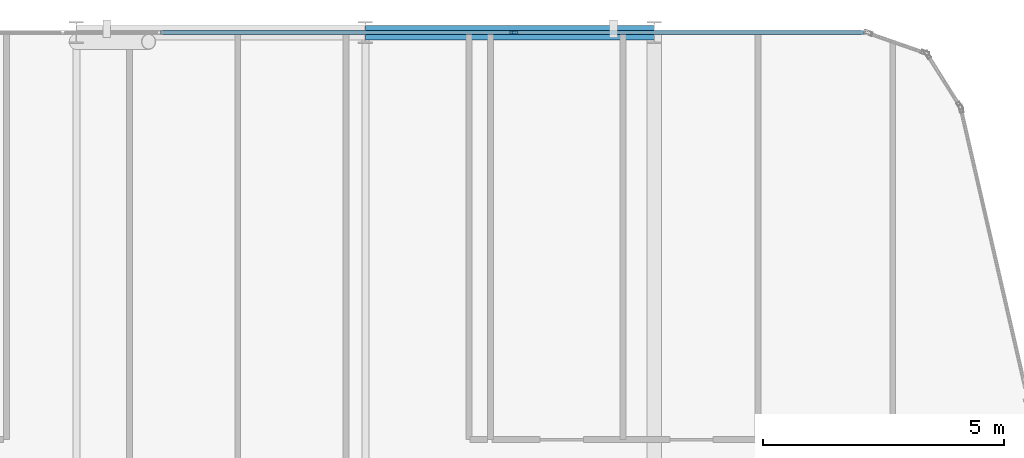
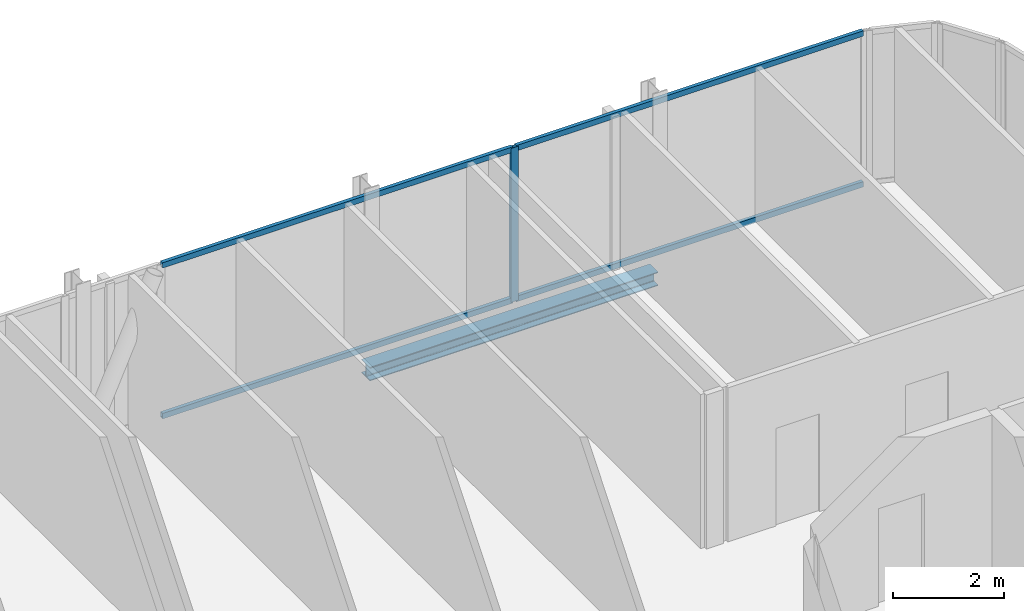
# One storey, part 19 of 29: 5 members, 1 beam, 1 element without a shape of its own.
"""IFC4 building model written with IfcOpenShell, lengths in metres."""

from ifc_helpers import new_model, si_unit, direction, frame, origin, origin_2d, place, context, subcontext, project, spatial, hollow_rectangle, i_section, extrude, material, layer, layer_set, material_profile, profile_set, type_object, element, aggregate, save


model = new_model("IFC4")

# Units and contexts
model_context = context("Model", 3, precision=1e-05, world=origin(), true_north=direction((0.0, 1.0)))
body_context = subcontext(model_context, "Body", "Model", "MODEL_VIEW")
ifc_project = project(units=[si_unit("LENGTHUNIT", "METRE"), si_unit("AREAUNIT", "SQUARE_METRE"), si_unit("VOLUMEUNIT", "CUBIC_METRE"), si_unit("PLANEANGLEUNIT", "RADIAN"), si_unit("MASSUNIT", "GRAM", prefix="KILO")], contexts=[model_context])

# Site, building, storey
site_placement = place(None, origin())
site = spatial("IfcSite", under=ifc_project, at=site_placement, CompositionType="ELEMENT")
building_placement = place(site_placement, origin())
building = spatial("IfcBuilding", under=site, at=building_placement, Name="Keshet Zoharim Tower", CompositionType="ELEMENT")
storey_placement = place(building_placement, frame((0.0, 0.0, 203.199951171875)))
storey = spatial("IfcBuildingStorey", under=building, at=storey_placement, Name="L50", CompositionType="ELEMENT", Elevation=203.199951171875)

# Beam
ifc_material_1 = material(Name="Steel S355", Category="steel")
ifc_material_profile_1 = material_profile(ifc_material_1, i_section(OverallWidth=0.300048828125, OverallDepth=0.300048828125, WebThickness=0.010986328125, FlangeThickness=0.01904296875, FilletRadius=0.027099609375, at=origin_2d()), Name="HEB300")
ifc_profile_set_1 = profile_set([ifc_material_profile_1], Name="Steel S355")
beam_type = type_object("IfcBeamType", Name="BM-PRI-HB300", PredefinedType="BEAM", material=ifc_profile_set_1)
beam_placement = place(storey_placement, frame((27.0, 53.89990234375, -0.4599609375), z_axis=(1.0, 0.0, 0.0), x_axis=(0.0, 1.0, 0.0)))
element("IfcBeam", 1, at=beam_placement, inside=storey, type_object=beam_type, Name="L50 Primary Girder X-020", PredefinedType="BEAM", context=body_context, shape_type="SweptSolid", body=[
    extrude(i_section(OverallWidth=0.300048828125, OverallDepth=0.300048828125, WebThickness=0.010986328125, FlangeThickness=0.01904296875, FilletRadius=0.027099609375, at=origin_2d()), origin(), (0.0, 0.0, 1.0), 6.0),
])

# Curtain wall, members
ifc_material_2 = material(Name="Aluminium 6063-T6", Category="aluminium")
ifc_layer = layer(ifc_material_2, 0.139892578125)
ifc_layer_set = layer_set([ifc_layer], Name="Aluminium 6063-T6")
curtain_wall_type = type_object("IfcCurtainWallType", Name="CW-SYS-05", PredefinedType="NOTDEFINED", material=ifc_layer_set)
curtain_wall_placement = place(storey_placement, origin())
curtain_wall = element("IfcCurtainWall", 2, at=curtain_wall_placement, inside=storey, type_object=curtain_wall_type, Name="L50 Unitised Curtain Wall 16 Part 3", PredefinedType="NOTDEFINED")
ifc_material_profile_2 = material_profile(ifc_material_2, hollow_rectangle(XDim=0.074951171875, YDim=0.159912109375, WallThickness=0.00390625, at=origin_2d()), Name="MUL-75x160")
ifc_profile_set_2 = profile_set([ifc_material_profile_2], Name="Aluminium 6063-T6")
member_type_1 = type_object("IfcMemberType", Name="CWM-M15", PredefinedType="MULLION", material=ifc_profile_set_2)
member_1_placement = place(storey_placement, frame((30.07861328125, 53.89990234375, 0.0), z_axis=(0.0, 0.0, 1.0), x_axis=(0.0, 1.0, 0.0)))
member_1 = element("IfcMember", 3, at=member_1_placement, type_object=member_type_1, Name="CW-05 mullion 2", PredefinedType="MULLION", context=body_context, shape_type="SweptSolid", body=[
    extrude(hollow_rectangle(XDim=0.074951171875, YDim=0.159912109375, WallThickness=0.00390625, at=origin_2d()), origin(), (0.0, 0.0, 1.0), 3.39013671875),
])
ifc_material_profile_3 = material_profile(ifc_material_2, hollow_rectangle(XDim=0.074951171875, YDim=0.1201171875, WallThickness=0.00390625, at=origin_2d()), Name="TRN-75x120")
ifc_profile_set_3 = profile_set([ifc_material_profile_3], Name="Aluminium 6063-T6")
member_type_2 = type_object("IfcMemberType", Name="CWT-T12", PredefinedType="USERDEFINED", material=ifc_profile_set_3)
member_2_placement = place(storey_placement, frame((22.748046875, 53.89990234375, 0.03515625), z_axis=(1.0, 0.0, 0.0), x_axis=(0.0, 1.0, 0.0)))
member_2 = element("IfcMember", 4, at=member_2_placement, type_object=member_type_2, Name="CW-05 transom 1.1", ObjectType="TRANSOM", PredefinedType="USERDEFINED", context=body_context, shape_type="SweptSolid", body=[
    extrude(hollow_rectangle(XDim=0.074951171875, YDim=0.1201171875, WallThickness=0.00390625, at=origin_2d()), origin(), (0.0, 0.0, 1.0), 7.29541015625),
])
member_3_placement = place(storey_placement, frame((22.748046875, 53.89990234375, 3.35498046875), z_axis=(1.0, 0.0, 0.0), x_axis=(0.0, 1.0, 0.0)))
member_3 = element("IfcMember", 5, at=member_3_placement, type_object=member_type_2, Name="CW-05 transom 1.2", ObjectType="TRANSOM", PredefinedType="USERDEFINED", context=body_context, shape_type="SweptSolid", body=[
    extrude(hollow_rectangle(XDim=0.074951171875, YDim=0.1201171875, WallThickness=0.00390625, at=origin_2d()), origin(), (0.0, 0.0, 1.0), 7.29541015625),
])
member_4_placement = place(storey_placement, frame((30.113525390625, 53.89990234375, 0.03515625), z_axis=(1.0, 0.0, 0.0), x_axis=(0.0, 1.0, 0.0)))
member_4 = element("IfcMember", 6, at=member_4_placement, type_object=member_type_2, Name="CW-05 transom 2.1", ObjectType="TRANSOM", PredefinedType="USERDEFINED", context=body_context, shape_type="SweptSolid", body=[
    extrude(hollow_rectangle(XDim=0.074951171875, YDim=0.1201171875, WallThickness=0.00390625, at=origin_2d()), origin(), (0.0, 0.0, 1.0), 7.2255859375),
])
member_5_placement = place(storey_placement, frame((30.113525390625, 53.89990234375, 3.35498046875), z_axis=(1.0, 0.0, 0.0), x_axis=(0.0, 1.0, 0.0)))
member_5 = element("IfcMember", 7, at=member_5_placement, type_object=member_type_2, Name="CW-05 transom 2.2", ObjectType="TRANSOM", PredefinedType="USERDEFINED", context=body_context, shape_type="SweptSolid", body=[
    extrude(hollow_rectangle(XDim=0.074951171875, YDim=0.1201171875, WallThickness=0.00390625, at=origin_2d()), origin(), (0.0, 0.0, 1.0), 7.2255859375),
])
aggregate(curtain_wall, [member_1, member_2, member_3, member_4, member_5])

save(model, "model.ifc")
